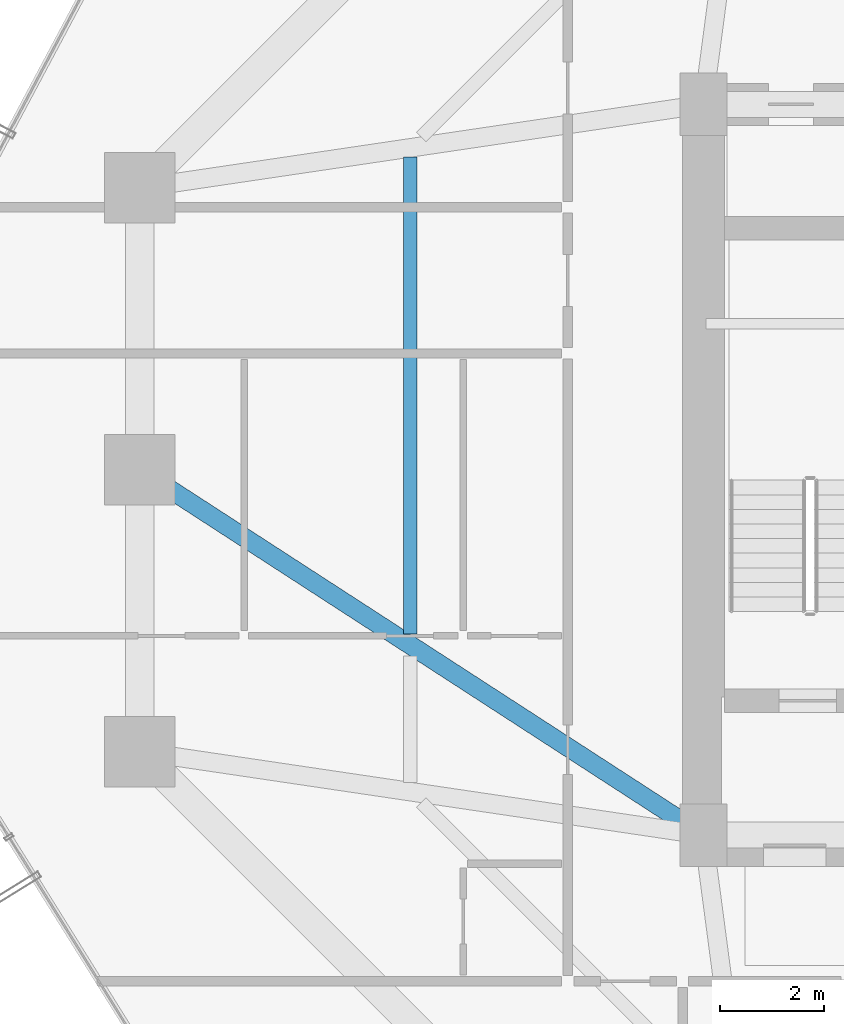
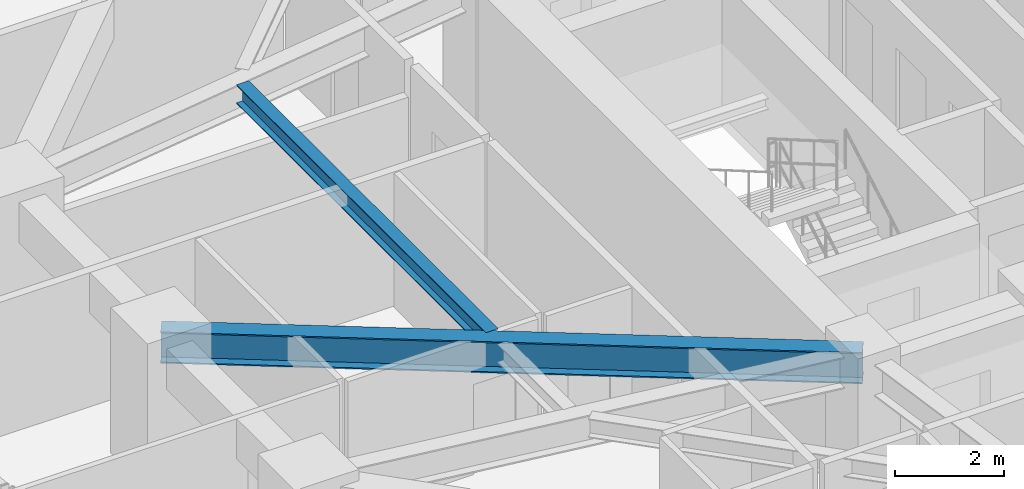
# One storey, part 11 of 39: 2 beams.
"""IFC4 building model written with IfcOpenShell, lengths in metres."""

from ifc_helpers import new_model, si_unit, direction, frame, origin, origin_2d, place, context, subcontext, project, spatial, i_section, extrude, material, material_profile, profile_set, type_object, element, save


model = new_model("IFC4")

# Units and contexts
model_context = context("Model", 3, precision=1e-05, world=origin(), true_north=direction((0.0, 1.0)))
body_context = subcontext(model_context, "Body", "Model", "MODEL_VIEW")
ifc_project = project(units=[si_unit("LENGTHUNIT", "METRE"), si_unit("AREAUNIT", "SQUARE_METRE"), si_unit("VOLUMEUNIT", "CUBIC_METRE"), si_unit("PLANEANGLEUNIT", "RADIAN"), si_unit("MASSUNIT", "GRAM", prefix="KILO")], contexts=[model_context])

# Site, building, storey
site_placement = place(None, origin())
site = spatial("IfcSite", under=ifc_project, at=site_placement, CompositionType="ELEMENT")
building_placement = place(site_placement, origin())
building = spatial("IfcBuilding", under=site, at=building_placement, Name="Veraguas Prism Commons", CompositionType="ELEMENT")
storey_placement = place(building_placement, frame((0.0, 0.0, 30.550048828125)))
storey = spatial("IfcBuildingStorey", under=building, at=storey_placement, Name="L07", CompositionType="ELEMENT", Elevation=30.550048828125)

# Beams
ifc_material = material(Name="Steel ASTM A992 Grade 50", Category="steel")
ifc_material_profile_1 = material_profile(ifc_material, i_section(OverallWidth=0.260986328125, OverallDepth=0.419921875, WebThickness=0.01171875, FlangeThickness=0.019287109375, at=origin_2d()), Name="W410X114")
ifc_profile_set_1 = profile_set([ifc_material_profile_1], Name="Steel ASTM A992 Grade 50")
beam_type_1 = type_object("IfcBeamType", Name="Lower Floor Joist W410x114", PredefinedType="JOIST", material=ifc_profile_set_1)
beam_1_placement = place(storey_placement, frame((11.583984375, 29.989990234375, 2.7900390625), z_axis=(0.0, -1.0, 0.0), x_axis=(1.0, 0.0, 0.0)))
element("IfcBeam", 1, at=beam_1_placement, inside=storey, type_object=beam_type_1, Name="Composite Floor Joist L07-JS07", PredefinedType="JOIST", context=body_context, shape_type="SweptSolid", body=[
    extrude(i_section(OverallWidth=0.260986328125, OverallDepth=0.419921875, WebThickness=0.01171875, FlangeThickness=0.019287109375, at=origin_2d()), origin(), (0.0, 0.0, 1.0), 9.140380859375),
])
ifc_material_profile_2 = material_profile(ifc_material, i_section(OverallWidth=0.35595703125, OverallDepth=0.700927734375, WebThickness=0.016845703125, FlangeThickness=0.02734375, at=origin_2d()), Name="W690X240")
ifc_profile_set_2 = profile_set([ifc_material_profile_2], Name="Steel ASTM A992 Grade 50")
beam_type_2 = type_object("IfcBeamType", Name="Zone 1 Radial Girder W690x240", PredefinedType="BEAM", material=ifc_profile_set_2)
beam_2_placement = place(storey_placement, frame((6.39990234375, 24.0, 2.6494140625), z_axis=(0.839154108875, -0.543893722668, 0.0), x_axis=(0.543893722668, 0.839154108875, 0.0)))
element("IfcBeam", 2, at=beam_2_placement, inside=storey, type_object=beam_type_2, Name="Radial Floor Girder L07-RD08", PredefinedType="BEAM", context=body_context, shape_type="SweptSolid", body=[
    extrude(i_section(OverallWidth=0.35595703125, OverallDepth=0.700927734375, WebThickness=0.016845703125, FlangeThickness=0.02734375, at=origin_2d()), origin(), (0.0, 0.0, 1.0), 12.8701171875),
])

save(model, "model.ifc")
